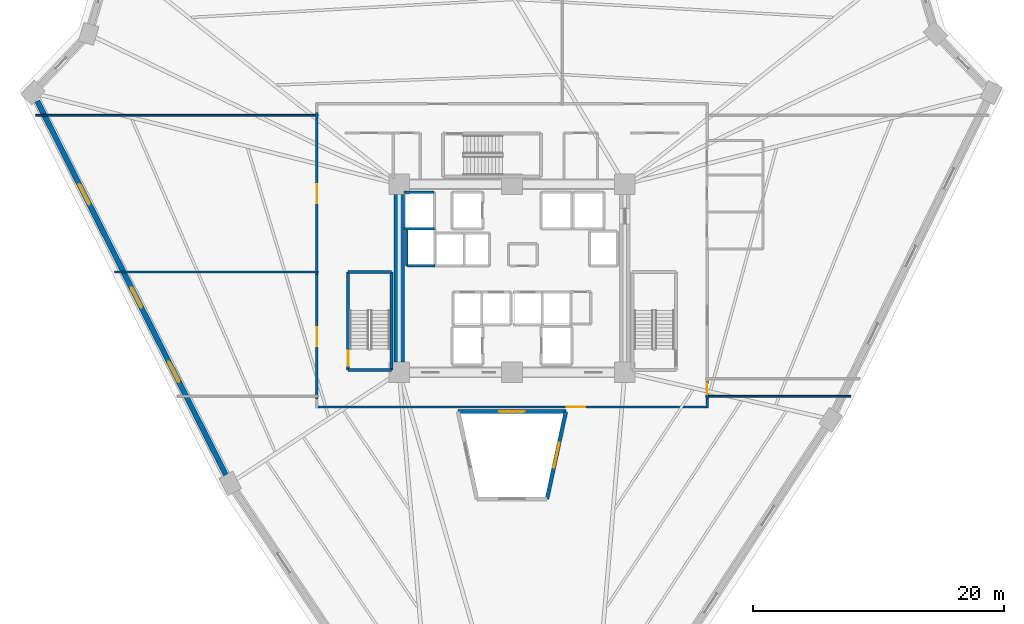
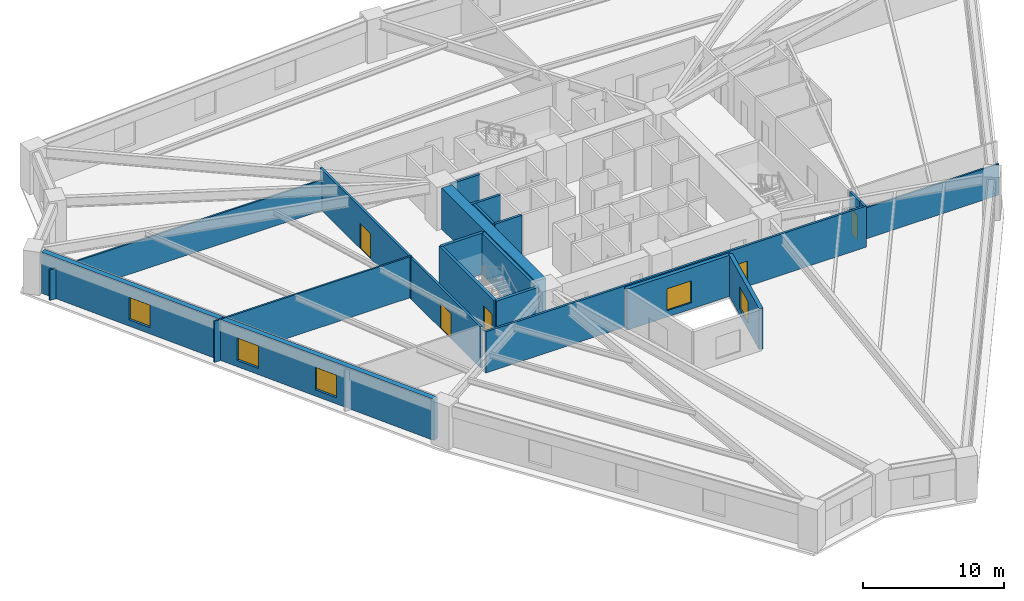
# One storey, part 3 of 8: 20 walls, 5 doors, 5 windows, 10 openings.
"""IFC4 building model written with IfcOpenShell, lengths in metres."""

import ifcopenshell
import ifcopenshell.guid

model = None  # the IFC model being written
_history = None  # IfcOwnerHistory: only IFC2X3 demands one
_inside = {}  # id of a spatial element -> (the spatial element, [elements in it])
_under = {}  # id of a project, library or spatial element -> (it, [spatial elements below it])
_declared = {}  # id of a project -> (the project, [libraries it declares])
_typed = {}  # id of a type object -> (the type object, [elements of that type])
_made_of = {}  # id of a material, layer set ... -> (it, [elements and type objects made of it])


def new_model(schema):
    """Start an empty IFC model of exactly this schema.

    Asked for "IFC4X3", IfcOpenShell would pick the latest addendum, in which some entities
    have other attributes; the version numbers below select the first issue.
    IFC2X3 requires an IfcOwnerHistory on every rooted entity: one is made here for all.
    """
    global model, _history
    if schema == "IFC4X3":
        model = ifcopenshell.file(schema_version=(4, 3, 0, 0))
    else:
        model = ifcopenshell.file(schema=schema)
    _inside.clear()
    _under.clear()
    _declared.clear()
    _typed.clear()
    _made_of.clear()
    _history = None
    if model.schema == "IFC2X3":
        org = make("IfcOrganization", Name="unknown")
        user = make(
            "IfcPersonAndOrganization",
            ThePerson=make("IfcPerson", FamilyName="unknown"),
            TheOrganization=org,
        )
        app = make(
            "IfcApplication",
            ApplicationDeveloper=org,
            Version="unknown",
            ApplicationFullName="unknown",
            ApplicationIdentifier="unknown",
        )
        _history = make(
            "IfcOwnerHistory",
            OwningUser=user,
            OwningApplication=app,
            ChangeAction="ADDED",
            CreationDate=0,
        )
    return model


def make(cls, **values):
    """One entity of the class cls with the attributes given. An attribute that is None is left unset."""
    return model.create_entity(
        cls, **{name: value for name, value in values.items() if value is not None}
    )


def rooted(cls, **values):
    """An entity with a GlobalId (a new one), such as an element, a storey or a relation."""
    return make(cls, GlobalId=ifcopenshell.guid.new(), OwnerHistory=_history, **values)


def si_unit(unit_type, name, prefix=None):
    """IfcSIUnit, for example si_unit("LENGTHUNIT", "METRE", prefix="MILLI")."""
    return make("IfcSIUnit", UnitType=unit_type, Prefix=prefix, Name=name)


def assignment(units):
    """IfcUnitAssignment: the units of a project."""
    return None if units is None else make("IfcUnitAssignment", Units=units)


def point(xyz):
    """IfcCartesianPoint."""
    return None if xyz is None else make("IfcCartesianPoint", Coordinates=xyz)


def direction(xyz):
    """IfcDirection."""
    return None if xyz is None else make("IfcDirection", DirectionRatios=xyz)


def frame(location, z_axis=None, x_axis=None):
    """IfcAxis2Placement3D, a coordinate frame: its origin and axes. An axis left out is left unset."""
    return make(
        "IfcAxis2Placement3D",
        Location=point(location),
        Axis=direction(z_axis),
        RefDirection=direction(x_axis),
    )


def frame_2d(location, x_axis=None):
    """IfcAxis2Placement2D, a coordinate frame in the plane: its origin and x axis."""
    return make(
        "IfcAxis2Placement2D", Location=point(location), RefDirection=direction(x_axis)
    )


def origin():
    """The frame at (0, 0, 0) with its axes left unset."""
    return frame((0.0, 0.0, 0.0))


def place(relative_to, where):
    """IfcLocalPlacement: puts the frame where relative to a parent placement (None: the world)."""
    return make(
        "IfcLocalPlacement", PlacementRelTo=relative_to, RelativePlacement=where
    )


def context(
    kind, dimensions, precision=None, world=None, true_north=None, identifier=None
):
    """IfcGeometricRepresentationContext, for example the 3D "Model" context."""
    return make(
        "IfcGeometricRepresentationContext",
        ContextIdentifier=identifier,
        ContextType=kind,
        CoordinateSpaceDimension=dimensions,
        Precision=precision,
        WorldCoordinateSystem=world,
        TrueNorth=true_north,
    )


def subcontext(parent, identifier, kind, view, scale=None):
    """IfcGeometricRepresentationSubContext, for example "Body" below "Model"."""
    return make(
        "IfcGeometricRepresentationSubContext",
        ContextIdentifier=identifier,
        ContextType=kind,
        ParentContext=parent,
        TargetScale=scale,
        TargetView=view,
    )


def project(units=None, contexts=None):
    """IfcProject with its units and contexts."""
    return rooted(
        "IfcProject",
        Name="project",
        RepresentationContexts=contexts,
        UnitsInContext=assignment(units),
    )


def spatial(cls, under=None, at=None, **own):
    """A site, building, storey or space (cls), placed at a placement, below another one or the project."""
    s = rooted(cls, ObjectPlacement=at, **own)
    if under is not None:
        _under.setdefault(under.id(), (under, []))[1].append(s)
    return s


def profile(cls, at=None, kind="AREA", **sizes):
    """A parametric profile (cls). Its sizes go by their IFC names, for example OverallWidth=200.0."""
    return make(cls, ProfileType=kind, Position=at, **sizes)


def rectangle(**sizes):
    """IfcRectangleProfileDef."""
    return profile("IfcRectangleProfileDef", **sizes)


def extrude(swept, where, along, depth):
    """IfcExtrudedAreaSolid: the profile swept, set in the frame where, extruded along a direction by depth."""
    return make(
        "IfcExtrudedAreaSolid",
        SweptArea=swept,
        Position=where,
        ExtrudedDirection=direction(along),
        Depth=depth,
    )


def shape(context_of_items, identifier, shape_type, items):
    """IfcShapeRepresentation: the items that make up one representation, for example the "Body"."""
    return make(
        "IfcShapeRepresentation",
        ContextOfItems=context_of_items,
        RepresentationIdentifier=identifier,
        RepresentationType=shape_type,
        Items=items,
    )


def source(mapping_origin, context_of_items, identifier, shape_type, items):
    """IfcRepresentationMap: a shape defined once, which mapped items show again and again."""
    return make(
        "IfcRepresentationMap",
        MappingOrigin=mapping_origin,
        MappedRepresentation=shape(context_of_items, identifier, shape_type, items),
    )


def transform(
    local_origin,
    x_axis=None,
    y_axis=None,
    z_axis=None,
    scale=None,
    scale2=None,
    scale3=None,
    uniform=True,
):
    """IfcCartesianTransformationOperator3D, or its non-uniform kind. x_axis, y_axis, z_axis: its Axis1, 2, 3."""
    if uniform:
        return make(
            "IfcCartesianTransformationOperator3D",
            Axis1=direction(x_axis),
            Axis2=direction(y_axis),
            LocalOrigin=point(local_origin),
            Scale=scale,
            Axis3=direction(z_axis),
        )
    return make(
        "IfcCartesianTransformationOperator3DnonUniform",
        Axis1=direction(x_axis),
        Axis2=direction(y_axis),
        LocalOrigin=point(local_origin),
        Scale=scale,
        Axis3=direction(z_axis),
        Scale2=scale2,
        Scale3=scale3,
    )


def mapped(mapping_source, mapping_target):
    """IfcMappedItem: shows the shape of a source again, moved by a transform."""
    return make(
        "IfcMappedItem", MappingSource=mapping_source, MappingTarget=mapping_target
    )


def material(Name=None, Category=None):
    """IfcMaterial."""
    return make("IfcMaterial", Name=Name, Category=Category)


def layer(
    of_material, thickness, ventilated=None, Name=None, Category=None, Priority=None
):
    """IfcMaterialLayer: one layer of a wall or slab, of a material (None: an air gap)."""
    return make(
        "IfcMaterialLayer",
        Material=of_material,
        LayerThickness=thickness,
        IsVentilated=ventilated,
        Name=Name,
        Category=Category,
        Priority=Priority,
    )


def layer_set(layers, Name=None):
    """IfcMaterialLayerSet."""
    return make("IfcMaterialLayerSet", MaterialLayers=layers, LayerSetName=Name)


def made_of(thing, what):
    """Note that an element or type object is made of a material, layer set ...; save() writes the relation."""
    if what is not None:
        _made_of.setdefault(what.id(), (what, []))[1].append(thing)
    return thing


def type_object(cls, material=None, **own):
    """A type object (cls), such as IfcWallType, which elements share."""
    return made_of(rooted(cls, **own), material)


def element(
    cls,
    number,
    at=None,
    inside=None,
    cuts=None,
    type_object=None,
    material=None,
    context=None,
    identifier="Body",
    shape_type=None,
    held_by="IfcProductDefinitionShape",
    body=None,
    shapes=None,
    **own,
):
    """One element of the class cls, such as IfcWall. Its Tag is "e" and its number.

    at: its placement. inside: the storey or other place that contains it. cuts: it is an
    opening in that element (IfcRelVoidsElement). A single representation is given by context,
    identifier, shape_type and body (its items); several are given by shapes. held_by: the class
    of the entity that holds the representations. save() writes the other relations.
    """
    e = rooted(cls, Tag="e%d" % number, ObjectPlacement=at, **own)
    if body is not None:
        shapes = [shape(context, identifier, shape_type, body)]
    if shapes is not None:
        e.Representation = make(held_by, Representations=shapes)
    if inside is not None:
        _inside.setdefault(inside.id(), (inside, []))[1].append(e)
    if cuts is not None:
        rooted(
            "IfcRelVoidsElement", RelatingBuildingElement=cuts, RelatedOpeningElement=e
        )
    if type_object is not None:
        _typed.setdefault(type_object.id(), (type_object, []))[1].append(e)
    return made_of(e, material)


def fill(opening, filler):
    """IfcRelFillsElement: the door or window that sits in an opening."""
    return rooted(
        "IfcRelFillsElement",
        RelatingOpeningElement=opening,
        RelatedBuildingElement=filler,
    )


def aggregate(whole, parts):
    """IfcRelAggregates: a whole, such as a stair, and the parts it consists of."""
    return rooted("IfcRelAggregates", RelatingObject=whole, RelatedObjects=parts)


def save(model, path):
    """Write the relations noted so far, then the file.

    IfcRelAggregates (storeys below a building ...), IfcRelContainedInSpatialStructure (elements
    in a storey), IfcRelDefinesByType, IfcRelAssociatesMaterial and IfcRelDeclares: one each for
    every whole, place, type object, material and project.
    """
    for whole, parts in _under.values():
        aggregate(whole, parts)
    for where, things in _inside.values():
        rooted(
            "IfcRelContainedInSpatialStructure",
            RelatedElements=things,
            RelatingStructure=where,
        )
    for kind, things in _typed.values():
        rooted("IfcRelDefinesByType", RelatedObjects=things, RelatingType=kind)
    for what, things in _made_of.values():
        rooted("IfcRelAssociatesMaterial", RelatedObjects=things, RelatingMaterial=what)
    for by, libraries in _declared.values():
        rooted("IfcRelDeclares", RelatingContext=by, RelatedDefinitions=libraries)
    model.write(path)


model = new_model("IFC4")

# Units and contexts
model_context = context("Model", 3, precision=1e-05, world=origin(), true_north=direction((0.0, 1.0)))
body_context = subcontext(model_context, "Body", "Model", "MODEL_VIEW")
ifc_project = project(units=[si_unit("LENGTHUNIT", "METRE"), si_unit("AREAUNIT", "SQUARE_METRE"), si_unit("VOLUMEUNIT", "CUBIC_METRE"), si_unit("PLANEANGLEUNIT", "RADIAN"), si_unit("MASSUNIT", "GRAM", prefix="KILO")], contexts=[model_context])

# Site, building, storey
site_placement = place(None, origin())
site = spatial("IfcSite", under=ifc_project, at=site_placement, CompositionType="ELEMENT")
building_placement = place(site_placement, origin())
building = spatial("IfcBuilding", under=site, at=building_placement, Name="Liaohun Quay Tower", CompositionType="ELEMENT")
storey_placement = place(building_placement, frame((0.0, 0.0, 70.5)))
storey = spatial("IfcBuildingStorey", under=building, at=storey_placement, Name="L18", CompositionType="ELEMENT", Elevation=70.5)

# Wall, opening, window
ifc_material_1 = material(Name="Concrete C50", Category="concrete")
ifc_layer_1 = layer(ifc_material_1, 0.300048828125, Name="Concrete C50", Category="concrete")
ifc_layer_set_1 = layer_set([ifc_layer_1], Name="Concrete C50")
wall_type_1 = type_object("IfcWallType", Name="WAL-ATR-300", PredefinedType="SOLIDWALL", material=ifc_layer_set_1)
wall_1_placement = place(storey_placement, frame((55.697998046875, 43.3701171875, 0.0), z_axis=(0.0, 0.0, 1.0), x_axis=(1.0, 0.0, 0.0)))
wall_1 = element("IfcWall", 1, at=wall_1_placement, inside=storey, type_object=wall_type_1, Name="L18 Atrium Fire Compartment Wall 2", PredefinedType="SOLIDWALL", context=body_context, shape_type="SweptSolid", body=[
    extrude(rectangle(XDim=8.60400390625, YDim=0.300048828125, at=frame_2d((4.302001953125, 0.0))), origin(), (0.0, 0.0, 1.0), 3.570068359375),
])
shared_shape_1 = source(origin(), body_context, "Body", "SweptSolid", [
    extrude(rectangle(XDim=2.0, YDim=1.89990234375, at=frame_2d((1.0, 0.949951171875))), frame((0.0, 0.159912109375, 0.0), z_axis=(0.0, -1.0, 0.0), x_axis=(1.0, 0.0, 0.0)), (0.0, 0.0, 1.0), 0.320068359375),
])
opening_1_placement = place(wall_1_placement, frame((3.302001953125, 0.0, 0.550048828125)))
opening_1 = element("IfcOpeningElement", 2, at=opening_1_placement, cuts=wall_1, Name="Opening W07", PredefinedType="OPENING", context=body_context, shape_type="MappedRepresentation", body=[
    mapped(shared_shape_1, transform((0.0, 0.0, 0.0), x_axis=(1.0, 0.0, 0.0), y_axis=(0.0, 1.0, 0.0), z_axis=(0.0, 0.0, 1.0), scale=1.0)),
])
ifc_material_2 = material(Name="Class A 180-min fire-resistant insulated glazing", Category="glass")
window_type_1 = type_object("IfcWindowType", Name="WIN-ATR-FIR", PartitioningType="DOUBLE_PANEL_VERTICAL", PredefinedType="WINDOW", material=ifc_material_2)
shared_shape_2 = source(origin(), body_context, "Body", "SweptSolid", [
    extrude(rectangle(XDim=2.0, YDim=1.89990234375, at=frame_2d((1.0, 0.949951171875))), frame((0.0, 0.030029296875, 0.0), z_axis=(0.0, -1.0, 0.0), x_axis=(1.0, 0.0, 0.0)), (0.0, 0.0, 1.0), 0.06005859375),
])
window_1_placement = place(opening_1_placement, origin())
window_1 = element("IfcWindow", 3, at=window_1_placement, inside=storey, type_object=window_type_1, Name="L18 Atrium Fire-Resistant Glazing W07-2", OverallHeight=1.89990234375, OverallWidth=2.0, PartitioningType="DOUBLE_PANEL_VERTICAL", PredefinedType="WINDOW", context=body_context, shape_type="MappedRepresentation", body=[
    mapped(shared_shape_2, transform((0.0, 0.0, 0.0), x_axis=(1.0, 0.0, 0.0), y_axis=(0.0, 1.0, 0.0), z_axis=(0.0, 0.0, 1.0), scale=1.0)),
])
fill(opening_1, window_1)

wall_2_placement = place(storey_placement, frame((64.302001953125, 43.3701171875, 0.0), z_axis=(0.0, 0.0, 1.0), x_axis=(-0.211408002859, -0.977397900718, 0.0)))
wall_2 = element("IfcWall", 4, at=wall_2_placement, inside=storey, type_object=wall_type_1, Name="L18 Atrium Fire Compartment Wall 3", PredefinedType="SOLIDWALL", context=body_context, shape_type="SweptSolid", body=[
    extrude(rectangle(XDim=7.124267578125, YDim=0.300048828125, at=frame_2d((3.56201171875, 0.0))), origin(), (0.0, 0.0, 1.0), 3.570068359375),
])
opening_2_placement = place(wall_2_placement, frame((2.56201171875, 0.0, 0.550048828125)))
opening_2 = element("IfcOpeningElement", 5, at=opening_2_placement, cuts=wall_2, Name="Opening W07", PredefinedType="OPENING", context=body_context, shape_type="MappedRepresentation", body=[
    mapped(shared_shape_1, transform((0.0, 0.0, 0.0), x_axis=(1.0, 0.0, 0.0), y_axis=(0.0, 1.0, 0.0), z_axis=(0.0, 0.0, 1.0), scale=1.0)),
])
window_2_placement = place(opening_2_placement, origin())
window_2 = element("IfcWindow", 6, at=window_2_placement, inside=storey, type_object=window_type_1, Name="L18 Atrium Fire-Resistant Glazing W07-3", OverallHeight=1.89990234375, OverallWidth=2.0, PartitioningType="DOUBLE_PANEL_VERTICAL", PredefinedType="WINDOW", context=body_context, shape_type="MappedRepresentation", body=[
    mapped(shared_shape_2, transform((0.0, 0.0, 0.0), x_axis=(1.0, 0.0, 0.0), y_axis=(0.0, 1.0, 0.0), z_axis=(0.0, 0.0, 1.0), scale=1.0)),
])
fill(opening_2, window_2)

# Wall
ifc_material_3 = material(Name="Concrete C60", Category="concrete")
ifc_layer_2 = layer(ifc_material_3, 0.85009765625, Name="Concrete C60", Category="concrete")
ifc_layer_set_2 = layer_set([ifc_layer_2], Name="Concrete C60")
wall_type_2 = type_object("IfcWallType", Name="WAL-COR-Z1", PredefinedType="SHEAR", material=ifc_layer_set_2)
wall_3_placement = place(storey_placement, frame((51.0, 47.324951171875, 0.0), z_axis=(0.0, 0.0, 1.0), x_axis=(0.0, 1.0, 0.0)))
element("IfcWall", 7, at=wall_3_placement, inside=storey, type_object=wall_type_2, Name="L18 Central Core Shear Wall W", PredefinedType="SHEAR", context=body_context, shape_type="SweptSolid", body=[
    extrude(rectangle(XDim=13.35009765625, YDim=0.85009765625, at=frame_2d((6.675048828125, 0.0))), origin(), (0.0, 0.0, 1.0), 3.570068359375),
])

# Wall, openings, windows
ifc_material_4 = material(Name="Precast concrete C50 insulated sandwich", Category="concrete")
ifc_layer_3 = layer(ifc_material_4, 0.419921875, Name="Precast concrete C50 insulated sandwich", Category="concrete")
ifc_layer_set_3 = layer_set([ifc_layer_3], Name="Precast concrete C50 insulated sandwich")
wall_type_3 = type_object("IfcWallType", Name="WAL-EXT-Z12", PredefinedType="SOLIDWALL", material=ifc_layer_set_3)
wall_4_placement = place(storey_placement, frame((22.14111328125, 68.133056640625, 0.0), z_axis=(0.0, 0.0, 1.0), x_axis=(0.450521782218, -0.892765436017, 0.0)))
wall_4 = element("IfcWall", 8, at=wall_4_placement, inside=storey, type_object=wall_type_3, Name="L18 Brutalist Precast Pier Wall 10", PredefinedType="SOLIDWALL", context=body_context, shape_type="SweptSolid", body=[
    extrude(rectangle(XDim=33.38525390625, YDim=0.419921875, at=frame_2d((16.692626953125, 0.0))), origin(), (0.0, 0.0, 1.0), 3.570068359375),
])
shared_shape_3 = source(origin(), body_context, "Body", "SweptSolid", [
    extrude(rectangle(XDim=1.800048828125, YDim=1.949951171875, at=frame_2d((0.89990234375, 0.97509765625))), frame((0.0, 0.219970703125, 0.0), z_axis=(0.0, -1.0, 0.0), x_axis=(1.0, 0.0, 0.0)), (0.0, 0.0, 1.0), 0.43994140625),
])
opening_3_placement = place(wall_4_placement, frame((7.446044921875, 0.0, 0.550048828125)))
opening_3 = element("IfcOpeningElement", 9, at=opening_3_placement, cuts=wall_4, Name="Opening W01", PredefinedType="OPENING", context=body_context, shape_type="MappedRepresentation", body=[
    mapped(shared_shape_3, transform((0.0, 0.0, 0.0), x_axis=(1.0, 0.0, 0.0), y_axis=(0.0, 1.0, 0.0), z_axis=(0.0, 0.0, 1.0), scale=1.0)),
])
opening_4_placement = place(wall_4_placement, frame((16.64306640625, 0.0, 0.550048828125)))
opening_4 = element("IfcOpeningElement", 10, at=opening_4_placement, cuts=wall_4, Name="Opening W01", PredefinedType="OPENING", context=body_context, shape_type="MappedRepresentation", body=[
    mapped(shared_shape_3, transform((0.0, 0.0, 0.0), x_axis=(1.0, 0.0, 0.0), y_axis=(0.0, 1.0, 0.0), z_axis=(0.0, 0.0, 1.0), scale=1.0)),
])
opening_5_placement = place(wall_4_placement, frame((23.2890625, 0.0, 0.550048828125)))
opening_5 = element("IfcOpeningElement", 11, at=opening_5_placement, cuts=wall_4, Name="Opening W01", PredefinedType="OPENING", context=body_context, shape_type="MappedRepresentation", body=[
    mapped(shared_shape_3, transform((0.0, 0.0, 0.0), x_axis=(1.0, 0.0, 0.0), y_axis=(0.0, 1.0, 0.0), z_axis=(0.0, 0.0, 1.0), scale=1.0)),
])
ifc_material_5 = material(Name="Triple Low-E argon glazing in thermally broken aluminium", Category="aluminium")
window_type_2 = type_object("IfcWindowType", Name="WIN-PUN-Z1", PartitioningType="DOUBLE_PANEL_VERTICAL", PredefinedType="WINDOW", material=ifc_material_5)
shared_shape_4 = source(origin(), body_context, "Body", "SweptSolid", [
    extrude(rectangle(XDim=1.800048828125, YDim=1.949951171875, at=frame_2d((0.89990234375, 0.97509765625))), frame((0.0, 0.030029296875, 0.0), z_axis=(0.0, -1.0, 0.0), x_axis=(1.0, 0.0, 0.0)), (0.0, 0.0, 1.0), 0.06005859375),
])
window_3_placement = place(opening_3_placement, origin())
window_3 = element("IfcWindow", 12, at=window_3_placement, inside=storey, type_object=window_type_2, Name="L18 Recessed Cold-Climate Punched Window 10-1", OverallHeight=1.949951171875, OverallWidth=1.800048828125, PartitioningType="DOUBLE_PANEL_VERTICAL", PredefinedType="WINDOW", context=body_context, shape_type="MappedRepresentation", body=[
    mapped(shared_shape_4, transform((0.0, 0.0, 0.0), x_axis=(1.0, 0.0, 0.0), y_axis=(0.0, 1.0, 0.0), z_axis=(0.0, 0.0, 1.0), scale=1.0)),
])
fill(opening_3, window_3)
window_4_placement = place(opening_4_placement, origin())
window_4 = element("IfcWindow", 13, at=window_4_placement, inside=storey, type_object=window_type_2, Name="L18 Recessed Cold-Climate Punched Window 10-2", OverallHeight=1.949951171875, OverallWidth=1.800048828125, PartitioningType="DOUBLE_PANEL_VERTICAL", PredefinedType="WINDOW", context=body_context, shape_type="MappedRepresentation", body=[
    mapped(shared_shape_4, transform((0.0, 0.0, 0.0), x_axis=(1.0, 0.0, 0.0), y_axis=(0.0, 1.0, 0.0), z_axis=(0.0, 0.0, 1.0), scale=1.0)),
])
fill(opening_4, window_4)
window_5_placement = place(opening_5_placement, origin())
window_5 = element("IfcWindow", 14, at=window_5_placement, inside=storey, type_object=window_type_2, Name="L18 Recessed Cold-Climate Punched Window 10-3", OverallHeight=1.949951171875, OverallWidth=1.800048828125, PartitioningType="DOUBLE_PANEL_VERTICAL", PredefinedType="WINDOW", context=body_context, shape_type="MappedRepresentation", body=[
    mapped(shared_shape_4, transform((0.0, 0.0, 0.0), x_axis=(1.0, 0.0, 0.0), y_axis=(0.0, 1.0, 0.0), z_axis=(0.0, 0.0, 1.0), scale=1.0)),
])
fill(opening_5, window_5)

# Wall, opening, door
ifc_material_6 = material(Name="Autoclaved aerated concrete blockwork", Category="masonry")
ifc_layer_4 = layer(ifc_material_6, 0.179931640625, Name="Autoclaved aerated concrete blockwork", Category="masonry")
ifc_layer_set_4 = layer_set([ifc_layer_4], Name="Autoclaved aerated concrete blockwork")
wall_type_4 = type_object("IfcWallType", Name="WAL-PRT-COR", PredefinedType="PARTITIONING", material=ifc_layer_set_4)
wall_5_placement = place(storey_placement, frame((44.43994140625, 54.284912109375, 0.0), z_axis=(0.0, 0.0, 1.0), x_axis=(0.0, 1.0, 0.0)))
wall_5 = element("IfcWall", 15, at=wall_5_placement, inside=storey, type_object=wall_type_4, Name="L18 Interior Partition Wall 013", PredefinedType="PARTITIONING", context=body_context, shape_type="SweptSolid", body=[
    extrude(rectangle(XDim=12.93017578125, YDim=0.179931640625, at=frame_2d((6.465087890625, 0.0))), origin(), (0.0, 0.0, 1.0), 3.570068359375),
])
shared_shape_5 = source(origin(), body_context, "Body", "SweptSolid", [
    extrude(rectangle(XDim=1.5, YDim=2.199951171875, at=frame_2d((0.75, 1.10009765625))), frame((0.0, 0.099853515625, 0.0), z_axis=(0.0, -1.0, 0.0), x_axis=(1.0, 0.0, 0.0)), (0.0, 0.0, 1.0), 0.199951171875),
])
opening_6_placement = place(wall_5_placement, frame((5.715087890625, 0.0, 0.0)))
opening_6 = element("IfcOpeningElement", 16, at=opening_6_placement, cuts=wall_5, Name="Opening OD2", PredefinedType="OPENING", context=body_context, shape_type="MappedRepresentation", body=[
    mapped(shared_shape_5, transform((0.0, 0.0, 0.0), x_axis=(1.0, 0.0, 0.0), y_axis=(0.0, 1.0, 0.0), z_axis=(0.0, 0.0, 1.0), scale=1.0)),
])
ifc_material_7 = material(Name="Acoustic oak veneer double door")
door_type_1 = type_object("IfcDoorType", Name="DOR-OFF-1500", OperationType="DOUBLE_DOOR_SINGLE_SWING", PredefinedType="DOOR", material=ifc_material_7)
shared_shape_6 = source(origin(), body_context, "Body", "SweptSolid", [
    extrude(rectangle(XDim=1.5, YDim=2.199951171875, at=frame_2d((0.75, 1.10009765625))), frame((0.0, 0.02490234375, 0.0), z_axis=(0.0, -1.0, 0.0), x_axis=(1.0, 0.0, 0.0)), (0.0, 0.0, 1.0), 0.050048828125),
])
door_1_placement = place(opening_6_placement, origin())
door_1 = element("IfcDoor", 17, at=door_1_placement, inside=storey, type_object=door_type_1, Name="L18 Project Collaboration Studio 04 Door", OperationType="DOUBLE_DOOR_SINGLE_SWING", OverallHeight=2.199951171875, OverallWidth=1.5, PredefinedType="DOOR", context=body_context, shape_type="MappedRepresentation", body=[
    mapped(shared_shape_6, transform((0.0, 0.0, 0.0), x_axis=(1.0, 0.0, 0.0), y_axis=(0.0, 1.0, 0.0), z_axis=(0.0, 0.0, 1.0), scale=1.0)),
])
fill(opening_6, door_1)

wall_6_placement = place(storey_placement, frame((44.43994140625, 44.385009765625, 0.0), z_axis=(0.0, 0.0, 1.0), x_axis=(0.0, 1.0, 0.0)))
wall_6 = element("IfcWall", 18, at=wall_6_placement, inside=storey, type_object=wall_type_4, Name="L18 Interior Partition Wall 014", PredefinedType="PARTITIONING", context=body_context, shape_type="SweptSolid", body=[
    extrude(rectangle(XDim=9.89990234375, YDim=0.179931640625, at=frame_2d((4.949951171875, 0.0))), origin(), (0.0, 0.0, 1.0), 3.570068359375),
])
opening_7_placement = place(wall_6_placement, frame((4.199951171875, 0.0, 0.0)))
opening_7 = element("IfcOpeningElement", 19, at=opening_7_placement, cuts=wall_6, Name="Opening OD2", PredefinedType="OPENING", context=body_context, shape_type="MappedRepresentation", body=[
    mapped(shared_shape_5, transform((0.0, 0.0, 0.0), x_axis=(1.0, 0.0, 0.0), y_axis=(0.0, 1.0, 0.0), z_axis=(0.0, 0.0, 1.0), scale=1.0)),
])
door_2_placement = place(opening_7_placement, origin())
door_2 = element("IfcDoor", 20, at=door_2_placement, inside=storey, type_object=door_type_1, Name="L18 Engineering Model Workshop 05 Door", OperationType="DOUBLE_DOOR_SINGLE_SWING", OverallHeight=2.199951171875, OverallWidth=1.5, PredefinedType="DOOR", context=body_context, shape_type="MappedRepresentation", body=[
    mapped(shared_shape_6, transform((0.0, 0.0, 0.0), x_axis=(1.0, 0.0, 0.0), y_axis=(0.0, 1.0, 0.0), z_axis=(0.0, 0.0, 1.0), scale=1.0)),
])
fill(opening_7, door_2)

wall_7_placement = place(storey_placement, frame((75.6298828125, 43.739990234375, 0.0), z_axis=(0.0, 0.0, 1.0), x_axis=(-1.0, 0.0, 0.0)))
wall_7 = element("IfcWall", 21, at=wall_7_placement, inside=storey, type_object=wall_type_4, Name="L18 Interior Partition Wall 015", PredefinedType="PARTITIONING", context=body_context, shape_type="SweptSolid", body=[
    extrude(rectangle(XDim=31.259765625, YDim=0.179931640625, at=frame_2d((15.6298828125, 0.0))), origin(), (0.0, 0.0, 1.0), 3.570068359375),
])
opening_8_placement = place(wall_7_placement, frame((9.780029296875, 0.0, 0.0)))
opening_8 = element("IfcOpeningElement", 22, at=opening_8_placement, cuts=wall_7, Name="Opening OD2", PredefinedType="OPENING", context=body_context, shape_type="MappedRepresentation", body=[
    mapped(shared_shape_5, transform((0.0, 0.0, 0.0), x_axis=(1.0, 0.0, 0.0), y_axis=(0.0, 1.0, 0.0), z_axis=(0.0, 0.0, 1.0), scale=1.0)),
])
door_3_placement = place(opening_8_placement, origin())
door_3 = element("IfcDoor", 23, at=door_3_placement, inside=storey, type_object=door_type_1, Name="L18 Staff Tea Kitchen and Pantry 06 Door", OperationType="DOUBLE_DOOR_SINGLE_SWING", OverallHeight=2.199951171875, OverallWidth=1.5, PredefinedType="DOOR", context=body_context, shape_type="MappedRepresentation", body=[
    mapped(shared_shape_6, transform((0.0, 0.0, 0.0), x_axis=(1.0, 0.0, 0.0), y_axis=(0.0, 1.0, 0.0), z_axis=(0.0, 0.0, 1.0), scale=1.0)),
])
fill(opening_8, door_3)

wall_8_placement = place(storey_placement, frame((75.56005859375, 45.784912109375, 0.0), z_axis=(0.0, 0.0, 1.0), x_axis=(0.0, -1.0, 0.0)))
wall_8 = element("IfcWall", 24, at=wall_8_placement, inside=storey, type_object=wall_type_4, Name="L18 Interior Partition Wall 016", PredefinedType="PARTITIONING", context=body_context, shape_type="SweptSolid", body=[
    extrude(rectangle(XDim=1.39990234375, YDim=0.179931640625, at=frame_2d((0.699951171875, 0.0))), origin(), (0.0, 0.0, 1.0), 3.570068359375),
])
shared_shape_7 = source(origin(), body_context, "Body", "SweptSolid", [
    extrude(rectangle(XDim=0.85009765625, YDim=2.10009765625, at=frame_2d((0.425048828125, 1.050048828125))), frame((0.0, 0.099853515625, 0.0), z_axis=(0.0, -1.0, 0.0), x_axis=(1.0, 0.0, 0.0)), (0.0, 0.0, 1.0), 0.199951171875),
])
opening_9_placement = place(wall_8_placement, frame((0.1630859375, 0.0, 0.0)))
opening_9 = element("IfcOpeningElement", 25, at=opening_9_placement, cuts=wall_8, Name="Opening AD1", PredefinedType="OPENING", context=body_context, shape_type="MappedRepresentation", body=[
    mapped(shared_shape_7, transform((0.0, 0.0, 0.0), x_axis=(1.0, 0.0, 0.0), y_axis=(0.0, 1.0, 0.0), z_axis=(0.0, 0.0, 1.0), scale=1.0)),
])
ifc_material_8 = material(Name="Steel riser inspection fire door", Category="steel")
door_type_2 = type_object("IfcDoorType", Name="DOR-SHF-850", OperationType="NOTDEFINED", PredefinedType="DOOR", material=ifc_material_8)
shared_shape_8 = source(origin(), body_context, "Body", "SweptSolid", [
    extrude(rectangle(XDim=0.85009765625, YDim=2.10009765625, at=frame_2d((0.425048828125, 1.050048828125))), frame((0.0, 0.02490234375, 0.0), z_axis=(0.0, -1.0, 0.0), x_axis=(1.0, 0.0, 0.0)), (0.0, 0.0, 1.0), 0.050048828125),
])
door_4_placement = place(opening_9_placement, origin())
door_4 = element("IfcDoor", 26, at=door_4_placement, inside=storey, type_object=door_type_2, Name="L18 Architectural Design Studio 07 Door", OperationType="SINGLE_SWING_RIGHT", OverallHeight=2.10009765625, OverallWidth=0.85009765625, PredefinedType="DOOR", context=body_context, shape_type="MappedRepresentation", body=[
    mapped(shared_shape_8, transform((0.0, 0.0, 0.0), x_axis=(1.0, 0.0, 0.0), y_axis=(0.0, 1.0, 0.0), z_axis=(0.0, 0.0, 1.0), scale=1.0)),
])
fill(opening_9, door_4)

# Walls
wall_9_placement = place(storey_placement, frame((75.56005859375, 44.385009765625, 0.0), z_axis=(0.0, 0.0, 1.0), x_axis=(0.0, -1.0, 0.0)))
element("IfcWall", 27, at=wall_9_placement, inside=storey, type_object=wall_type_4, Name="L18 Interior Partition Wall 035", PredefinedType="PARTITIONING", context=body_context, shape_type="SweptSolid", body=[
    extrude(rectangle(XDim=0.715087890625, YDim=0.179931640625, at=frame_2d((0.357421875, 0.0))), origin(), (0.0, 0.0, 1.0), 3.570068359375),
])
ifc_material_9 = material(Name="Gypsum board on twin steel studs", Category="steel")
ifc_layer_5 = layer(ifc_material_9, 0.139892578125, Name="Gypsum board on twin steel studs", Category="steel")
ifc_layer_set_5 = layer_set([ifc_layer_5], Name="Gypsum board on twin steel studs")
wall_type_5 = type_object("IfcWallType", Name="WAL-PRT-OFF", PredefinedType="PARTITIONING", material=ifc_layer_set_5)
wall_10_placement = place(storey_placement, frame((44.5400390625, 54.5, 0.0), z_axis=(0.0, 0.0, 1.0), x_axis=(-1.0, 0.0, 0.0)))
element("IfcWall", 28, at=wall_10_placement, inside=storey, type_object=wall_type_5, Name="L18 Interior Partition Wall 037", PredefinedType="PARTITIONING", context=body_context, shape_type="SweptSolid", body=[
    extrude(rectangle(XDim=16.22509765625, YDim=0.139892578125, at=frame_2d((8.112548828125, 0.0))), origin(), (0.0, 0.0, 1.0), 3.570068359375),
])
wall_11_placement = place(storey_placement, frame((44.5400390625, 67.0, 0.0), z_axis=(0.0, 0.0, 1.0), x_axis=(-1.0, 0.0, 0.0)))
element("IfcWall", 29, at=wall_11_placement, inside=storey, type_object=wall_type_5, Name="L18 Interior Partition Wall 038", PredefinedType="PARTITIONING", context=body_context, shape_type="SweptSolid", body=[
    extrude(rectangle(XDim=22.532958984375, YDim=0.139892578125, at=frame_2d((11.2666015625, 0.0))), origin(), (0.0, 0.0, 1.0), 2.655029296875),
])
wall_12_placement = place(storey_placement, frame((75.4599609375, 44.60009765625, 0.0), z_axis=(0.0, 0.0, 1.0), x_axis=(1.0, 0.0, 0.0)))
element("IfcWall", 30, at=wall_12_placement, inside=storey, type_object=wall_type_5, Name="L18 Interior Partition Wall 039", PredefinedType="PARTITIONING", context=body_context, shape_type="SweptSolid", body=[
    extrude(rectangle(XDim=11.568115234375, YDim=0.139892578125, at=frame_2d((5.7841796875, 0.0))), origin(), (0.0, 0.0, 1.0), 2.705078125),
])
ifc_layer_6 = layer(ifc_material_1, 0.239990234375, Name="Concrete C50", Category="concrete")
ifc_layer_set_6 = layer_set([ifc_layer_6], Name="Concrete C50")
wall_type_6 = type_object("IfcWallType", Name="WAL-SHF-200", PredefinedType="SOLIDWALL", material=ifc_layer_set_6)
wall_13_placement = place(storey_placement, frame((46.93994140625, 46.699951171875, 0.0), z_axis=(0.0, 0.0, 1.0), x_axis=(1.0, 0.0, 0.0)))
element("IfcWall", 31, at=wall_13_placement, inside=storey, type_object=wall_type_6, Name="L18 Stairwell ST-1 Structural Core Wall S", PredefinedType="SOLIDWALL", context=body_context, shape_type="SweptSolid", body=[
    extrude(rectangle(XDim=3.43994140625, YDim=0.239990234375, at=frame_2d((1.719970703125, 0.0))), origin(), (0.0, 0.0, 1.0), 3.570068359375),
])
wall_14_placement = place(storey_placement, frame((50.3798828125, 46.699951171875, 0.0), z_axis=(0.0, 0.0, 1.0), x_axis=(0.0, 1.0, 0.0)))
element("IfcWall", 32, at=wall_14_placement, inside=storey, type_object=wall_type_6, Name="L18 Stairwell ST-1 Structural Core Wall E", PredefinedType="SOLIDWALL", context=body_context, shape_type="SweptSolid", body=[
    extrude(rectangle(XDim=7.820068359375, YDim=0.239990234375, at=frame_2d((3.91015625, 0.0))), origin(), (0.0, 0.0, 1.0), 3.570068359375),
])
wall_15_placement = place(storey_placement, frame((50.3798828125, 54.52001953125, 0.0), z_axis=(0.0, 0.0, 1.0), x_axis=(-1.0, 0.0, 0.0)))
element("IfcWall", 33, at=wall_15_placement, inside=storey, type_object=wall_type_6, Name="L18 Stairwell ST-1 Structural Core Wall N", PredefinedType="SOLIDWALL", context=body_context, shape_type="SweptSolid", body=[
    extrude(rectangle(XDim=3.43994140625, YDim=0.239990234375, at=frame_2d((1.719970703125, 0.0))), origin(), (0.0, 0.0, 1.0), 3.570068359375),
])

# Wall, opening, door
wall_16_placement = place(storey_placement, frame((46.93994140625, 54.52001953125, 0.0), z_axis=(0.0, 0.0, 1.0), x_axis=(0.0, -1.0, 0.0)))
wall_16 = element("IfcWall", 34, at=wall_16_placement, inside=storey, type_object=wall_type_6, Name="L18 Stairwell ST-1 Structural Core Wall W", PredefinedType="SOLIDWALL", context=body_context, shape_type="SweptSolid", body=[
    extrude(rectangle(XDim=7.820068359375, YDim=0.239990234375, at=frame_2d((3.91015625, 0.0))), origin(), (0.0, 0.0, 1.0), 3.570068359375),
])
shared_shape_9 = source(origin(), body_context, "Body", "SweptSolid", [
    extrude(rectangle(XDim=1.199951171875, YDim=2.199951171875, at=frame_2d((0.60009765625, 1.10009765625))), frame((0.0, 0.1298828125, 0.0), z_axis=(0.0, -1.0, 0.0), x_axis=(1.0, 0.0, 0.0)), (0.0, 0.0, 1.0), 0.260009765625),
])
opening_10_placement = place(wall_16_placement, frame((6.300048828125, 0.0, 0.0)))
opening_10 = element("IfcOpeningElement", 35, at=opening_10_placement, cuts=wall_16, Name="Opening SD1", PredefinedType="OPENING", context=body_context, shape_type="MappedRepresentation", body=[
    mapped(shared_shape_9, transform((0.0, 0.0, 0.0), x_axis=(1.0, 0.0, 0.0), y_axis=(0.0, 1.0, 0.0), z_axis=(0.0, 0.0, 1.0), scale=1.0)),
])
ifc_material_10 = material(Name="Galvanised steel fire door", Category="steel")
door_type_3 = type_object("IfcDoorType", Name="DOR-STR-1200", OperationType="NOTDEFINED", PredefinedType="DOOR", material=ifc_material_10)
shared_shape_10 = source(origin(), body_context, "Body", "SweptSolid", [
    extrude(rectangle(XDim=1.199951171875, YDim=2.199951171875, at=frame_2d((0.60009765625, 1.10009765625))), frame((0.0, 0.02490234375, 0.0), z_axis=(0.0, -1.0, 0.0), x_axis=(1.0, 0.0, 0.0)), (0.0, 0.0, 1.0), 0.050048828125),
])
door_5_placement = place(opening_10_placement, origin())
door_5 = element("IfcDoor", 36, at=door_5_placement, inside=storey, type_object=door_type_3, Name="L18 Protected Stair ST-1 Fire Door", OperationType="SINGLE_SWING_LEFT", OverallHeight=2.199951171875, OverallWidth=1.199951171875, PredefinedType="DOOR", context=body_context, shape_type="MappedRepresentation", body=[
    mapped(shared_shape_10, transform((0.0, 0.0, 0.0), x_axis=(1.0, 0.0, 0.0), y_axis=(0.0, 1.0, 0.0), z_axis=(0.0, 0.0, 1.0), scale=1.0)),
])
fill(opening_10, door_5)

# Walls
for number, where, z_axis, x_axis, name in (
    (37, (51.39990234375, 57.949951171875, 0.0), (0.0, 0.0, 1.0), (1.0, 0.0, 0.0), "L18 Lift SH-01 Hoistway Wall S"),
    (38, (53.800048828125, 60.8798828125, 0.0), (0.0, 0.0, 1.0), (-1.0, 0.0, 0.0), "L18 Lift SH-01 Hoistway Wall N"),
):
    element("IfcWall", number, at=place(storey_placement, frame(where, z_axis=z_axis, x_axis=x_axis)), inside=storey, type_object=wall_type_6, Name=name, PredefinedType="SOLIDWALL", context=body_context, shape_type="SweptSolid", body=[
        extrude(rectangle(XDim=2.400146484375, YDim=0.199951171875, at=frame_2d((1.2001953125, 0.0))), origin(), (0.0, 0.0, 1.0), 3.570068359375),
    ])
wall_17_placement = place(storey_placement, frame((51.6201171875, 55.0, 0.0), z_axis=(0.0, 0.0, 1.0), x_axis=(1.0, 0.0, 0.0)))
element("IfcWall", 39, at=wall_17_placement, inside=storey, type_object=wall_type_6, Name="L18 Lift SH-02 Hoistway Wall S", PredefinedType="SOLIDWALL", context=body_context, shape_type="SweptSolid", body=[
    extrude(rectangle(XDim=2.22998046875, YDim=0.199951171875, at=frame_2d((1.114990234375, 0.0))), origin(), (0.0, 0.0, 1.0), 3.570068359375),
])
wall_18_placement = place(storey_placement, frame((51.6201171875, 58.0, 0.0), z_axis=(0.0, 0.0, 1.0), x_axis=(0.0, -1.0, 0.0)))
element("IfcWall", 40, at=wall_18_placement, inside=storey, type_object=wall_type_6, Name="L18 Lift SH-02 Hoistway Wall W", PredefinedType="SOLIDWALL", context=body_context, shape_type="SweptSolid", body=[
    extrude(rectangle(XDim=3.0, YDim=0.199951171875, at=frame_2d((1.5, 0.0))), origin(), (0.0, 0.0, 1.0), 3.570068359375),
])

save(model, "model.ifc")
